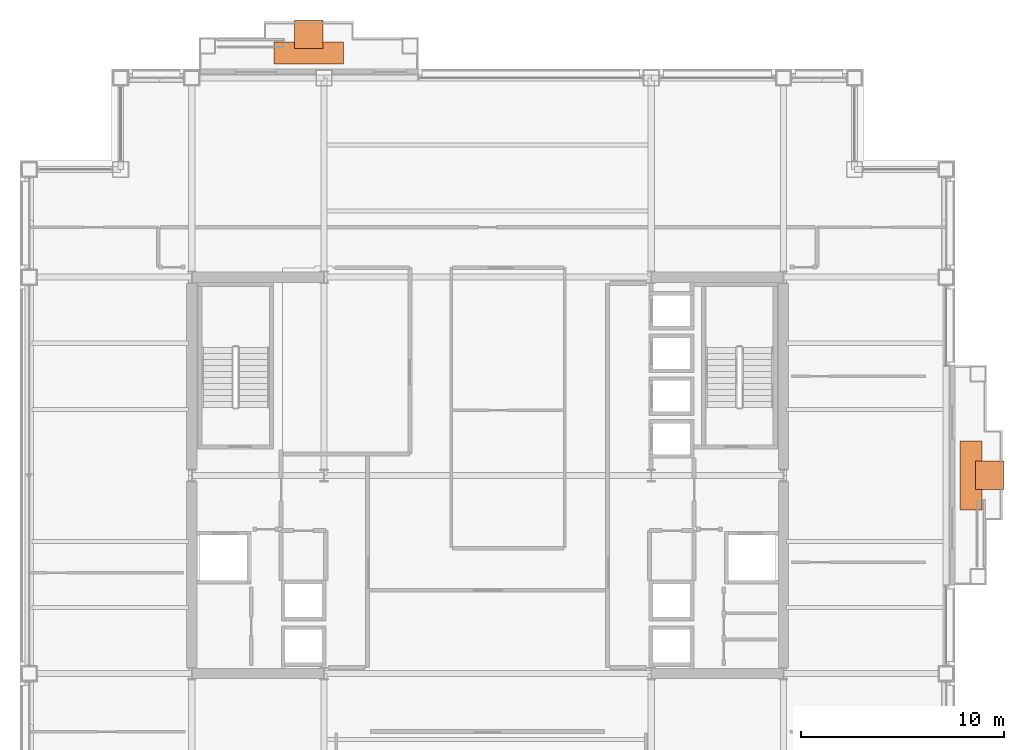
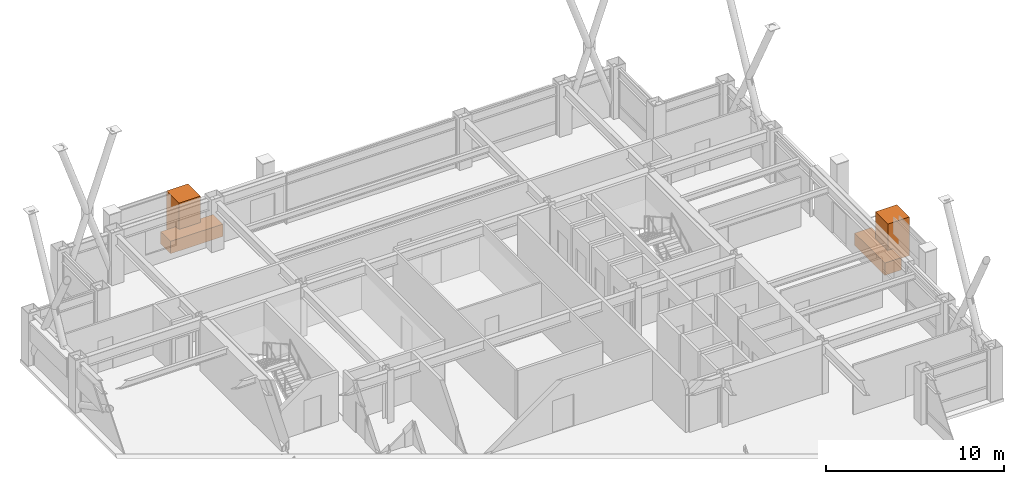
# One storey, part 35 of 35: 4 proxies.
"""IFC4 building model written with IfcOpenShell, lengths in metres."""

from ifc_helpers import new_model, si_unit, direction, frame, origin, origin_2d, place, context, subcontext, project, spatial, rectangle, extrude, material, type_object, element, save


model = new_model("IFC4")

# Units and contexts
model_context = context("Model", 3, precision=1e-05, world=origin(), true_north=direction((0.0, 1.0)))
body_context = subcontext(model_context, "Body", "Model", "MODEL_VIEW")
ifc_project = project(units=[si_unit("LENGTHUNIT", "METRE"), si_unit("AREAUNIT", "SQUARE_METRE"), si_unit("VOLUMEUNIT", "CUBIC_METRE"), si_unit("PLANEANGLEUNIT", "RADIAN"), si_unit("MASSUNIT", "GRAM", prefix="KILO")], contexts=[model_context])

# Site, building, storey
site_placement = place(None, origin())
site = spatial("IfcSite", under=ifc_project, at=site_placement, CompositionType="ELEMENT")
building_placement = place(site_placement, origin())
building = spatial("IfcBuilding", under=site, at=building_placement, Name="Brelmoor Portico Tower", CompositionType="ELEMENT")
storey_placement = place(building_placement, frame((0.0, 0.0, 131.39990234375)))
storey = spatial("IfcBuildingStorey", under=building, at=storey_placement, Name="L34", CompositionType="ELEMENT", Elevation=131.39990234375)

# Proxies
ifc_material_1 = material(Name="Planted Canopy Tree and Soil Rootball", Category="other")
building_element_proxy_type_1 = type_object("IfcBuildingElementProxyType", Name="BALCONY TREE ARBOR", PredefinedType="USERDEFINED", material=ifc_material_1)
for number, where, z_axis, x_axis, name in (
    (1, (-8.800048828125, 21.699951171875, 0.000244140625), (0.0, 0.0, 1.0), (1.0, 0.0, 0.0), "L34 Balcony PLANTER Tree Canopy Arbor N"),
    (2, (24.699951171875, 0.0, 0.000244140625), (0.0, 0.0, 1.0), (1.0, 0.0, 0.0), "L34 Balcony PLANTER Tree Canopy Arbor E"),
):
    element("IfcBuildingElementProxy", number, at=place(storey_placement, frame(where, z_axis=z_axis, x_axis=x_axis)), inside=storey, type_object=building_element_proxy_type_1, Name=name, ObjectType="PLANTER", PredefinedType="USERDEFINED", context=body_context, shape_type="SweptSolid", body=[
        extrude(rectangle(XDim=1.39990234375, YDim=1.39990234375, at=origin_2d()), origin(), (0.0, 0.0, 1.0), 2.64990234375),
    ])
ifc_material_2 = material(Name="Architectural Precast Concrete C40", Category="concrete")
building_element_proxy_type_2 = type_object("IfcBuildingElementProxyType", Name="TREE PLANTER", PredefinedType="USERDEFINED", material=ifc_material_2)
for number, where, z_axis, x_axis, name in (
    (3, (-8.800048828125, 20.77490234375, 0.0), (0.0, 0.0, 1.0), (1.0, 0.0, 0.0), "L34 Planted Tree Planter N"),
    (4, (23.77490234375, 0.0, 0.0), (0.0, 0.0, 1.0), (0.0, 1.0, 0.0), "L34 Planted Tree Planter E"),
):
    element("IfcBuildingElementProxy", number, at=place(storey_placement, frame(where, z_axis=z_axis, x_axis=x_axis)), inside=storey, type_object=building_element_proxy_type_2, Name=name, ObjectType="PLANTER", PredefinedType="USERDEFINED", context=body_context, shape_type="SweptSolid", body=[
        extrude(rectangle(XDim=3.39990234375, YDim=1.10009765625, at=origin_2d()), origin(), (0.0, 0.0, 1.0), 0.85009765625),
    ])

save(model, "model.ifc")
